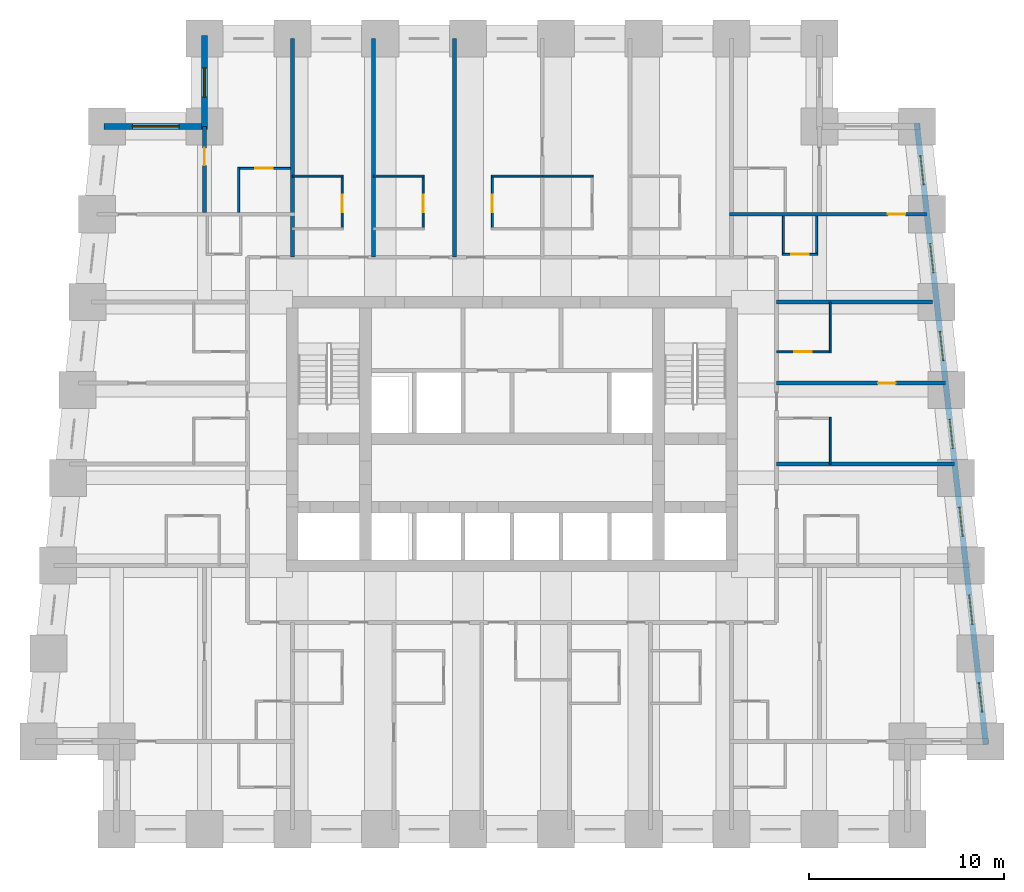
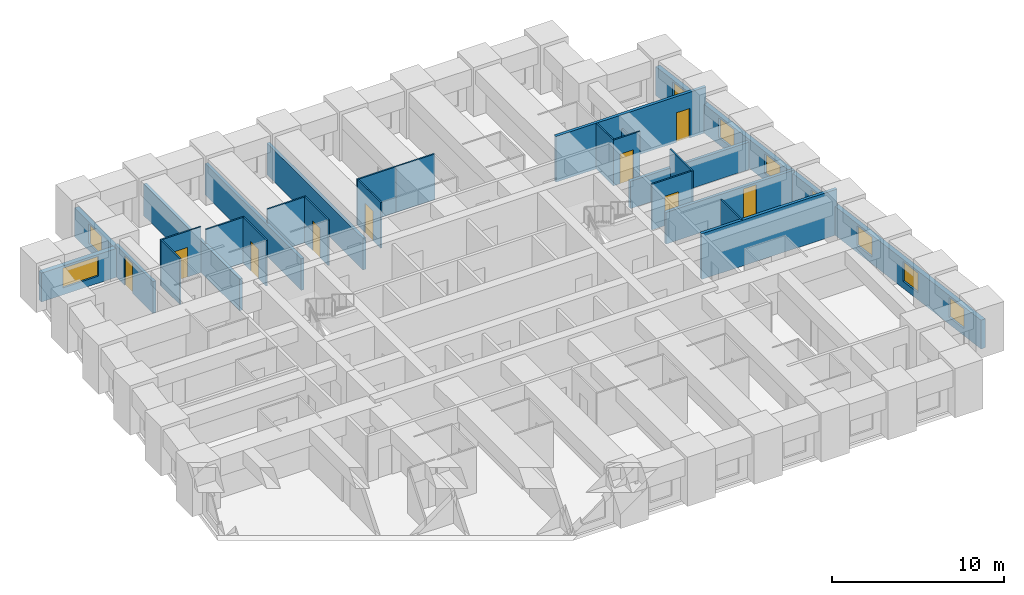
# One storey, part 6 of 8: 26 walls, 9 doors, 9 windows, 18 openings.
"""IFC4 building model written with IfcOpenShell, lengths in metres."""

from ifc_helpers import new_model, si_unit, direction, frame, frame_2d, origin, place, context, subcontext, project, spatial, rectangle, extrude, material, layer, layer_set, type_object, element, fill, save


model = new_model("IFC4")

# Units and contexts
model_context = context("Model", 3, precision=1e-05, world=origin(), true_north=direction((0.0, 1.0)))
body_context = subcontext(model_context, "Body", "Model", "MODEL_VIEW")
ifc_project = project(units=[si_unit("LENGTHUNIT", "METRE"), si_unit("AREAUNIT", "SQUARE_METRE"), si_unit("VOLUMEUNIT", "CUBIC_METRE"), si_unit("PLANEANGLEUNIT", "RADIAN"), si_unit("MASSUNIT", "GRAM", prefix="KILO")], contexts=[model_context])

# Site, building, storey
site_placement = place(None, origin())
site = spatial("IfcSite", under=ifc_project, at=site_placement, CompositionType="ELEMENT")
building_placement = place(site_placement, origin())
building = spatial("IfcBuilding", under=site, at=building_placement, Name="Kilele Tower Hotel", CompositionType="ELEMENT")
storey_placement = place(building_placement, frame((0.0, 0.0, 43.699951171875)))
storey = spatial("IfcBuildingStorey", under=building, at=storey_placement, Name="L09", CompositionType="ELEMENT", Elevation=43.699951171875)

# Walls
ifc_material_1 = material(Name="Moisture-resistant board")
ifc_layer_1 = layer(ifc_material_1, 0.10009765625)
ifc_layer_set_1 = layer_set([ifc_layer_1], Name="Moisture-resistant board")
wall_type_1 = type_object("IfcWallType", Name="Bathroom partition 100", PredefinedType="PLUMBINGWALL", material=ifc_layer_set_1)
wall_1_placement = place(storey_placement, frame((41.050048828125, 18.699951171875, 0.0), z_axis=(0.0, 0.0, 1.0), x_axis=(0.0, 1.0, 0.0)))
element("IfcWall", 1, at=wall_1_placement, inside=storey, type_object=wall_type_1, Name="Bathroom partition 100 L09", PredefinedType="PLUMBINGWALL", context=body_context, shape_type="SweptSolid", body=[
    extrude(rectangle(XDim=2.400146484375, YDim=0.10009765625, at=frame_2d((1.2001953125, 0.0))), origin(), (0.0, 0.0, 1.0), 3.25),
])
wall_2_placement = place(storey_placement, frame((41.050048828125, 24.39990234375, 0.0), z_axis=(0.0, 0.0, 1.0), x_axis=(0.0, 1.0, 0.0)))
element("IfcWall", 2, at=wall_2_placement, inside=storey, type_object=wall_type_1, Name="Bathroom partition 100 L09", PredefinedType="PLUMBINGWALL", context=body_context, shape_type="SweptSolid", body=[
    extrude(rectangle(XDim=2.60009765625, YDim=0.10009765625, at=frame_2d((1.300048828125, 0.0))), origin(), (0.0, 0.0, 1.0), 3.25),
])

# Wall, opening, door
wall_3_placement = place(storey_placement, frame((38.300048828125, 24.449951171875, 0.0), z_axis=(0.0, 0.0, 1.0), x_axis=(1.0, 0.0, 0.0)))
wall_3 = element("IfcWall", 3, at=wall_3_placement, inside=storey, type_object=wall_type_1, Name="Bathroom partition 100 L09", PredefinedType="PLUMBINGWALL", context=body_context, shape_type="SweptSolid", body=[
    extrude(rectangle(XDim=2.800048828125, YDim=0.10009765625, at=frame_2d((1.39990234375, 0.0))), origin(), (0.0, 0.0, 1.0), 3.25),
])
opening_1_placement = place(wall_3_placement, frame((1.7998046875, 0.0, 0.0), z_axis=(0.0, 0.0, 1.0), x_axis=(-1.0, 0.0, 0.0)))
opening_1 = element("IfcOpeningElement", 4, at=opening_1_placement, cuts=wall_3, Name="Opening D2A", PredefinedType="OPENING", context=body_context, shape_type="SweptSolid", body=[
    extrude(rectangle(XDim=0.89990234375, YDim=2.10009765625, at=frame_2d((0.449951171875, 1.050048828125))), frame((0.0, 0.06005859375, 0.0), z_axis=(0.0, -1.0, 0.0), x_axis=(1.0, 0.0, 0.0)), (0.0, 0.0, 1.0), 0.1201171875),
])
ifc_material_2 = material(Name="Timber door leaf in hardwood frame", Category="wood")
door_type_1 = type_object("IfcDoorType", Name="Bathroom door 900", OperationType="SINGLE_SWING_LEFT", PredefinedType="DOOR", material=ifc_material_2)
door_1_placement = place(opening_1_placement, origin())
door_1 = element("IfcDoor", 5, at=door_1_placement, inside=storey, type_object=door_type_1, Name="Bathroom door 0908B", OperationType="SINGLE_SWING_RIGHT", OverallHeight=2.10009765625, OverallWidth=0.89990234375, PredefinedType="DOOR", context=body_context, shape_type="SweptSolid", body=[
    extrude(rectangle(XDim=0.89990234375, YDim=2.10009765625, at=frame_2d((0.449951171875, 1.050048828125))), frame((0.0, 0.02490234375, 0.0), z_axis=(0.0, -1.0, 0.0), x_axis=(1.0, 0.0, 0.0)), (0.0, 0.0, 1.0), 0.050048828125),
])
fill(opening_1, door_1)

# Wall
wall_4_placement = place(storey_placement, frame((13.5, 33.449951171875, 0.0), z_axis=(0.0, 0.0, 1.0), x_axis=(1.0, 0.0, 0.0)))
element("IfcWall", 6, at=wall_4_placement, inside=storey, type_object=wall_type_1, Name="Bathroom partition 100 L09", PredefinedType="PLUMBINGWALL", context=body_context, shape_type="SweptSolid", body=[
    extrude(rectangle(XDim=2.60009765625, YDim=0.10009765625, at=frame_2d((1.300048828125, 0.0))), origin(), (0.0, 0.0, 1.0), 3.25),
])

# Wall, opening, door
wall_5_placement = place(storey_placement, frame((16.050048828125, 30.699951171875, 0.0), z_axis=(0.0, 0.0, 1.0), x_axis=(0.0, 1.0, 0.0)))
wall_5 = element("IfcWall", 7, at=wall_5_placement, inside=storey, type_object=wall_type_1, Name="Bathroom partition 100 L09", PredefinedType="PLUMBINGWALL", context=body_context, shape_type="SweptSolid", body=[
    extrude(rectangle(XDim=2.800048828125, YDim=0.10009765625, at=frame_2d((1.39990234375, 0.0))), origin(), (0.0, 0.0, 1.0), 3.25),
])
opening_2_placement = place(wall_5_placement, frame((1.7998046875, 0.0, 0.0), z_axis=(0.0, 0.0, 1.0), x_axis=(-1.0, 0.0, 0.0)))
opening_2 = element("IfcOpeningElement", 8, at=opening_2_placement, cuts=wall_5, Name="Opening D2A", PredefinedType="OPENING", context=body_context, shape_type="SweptSolid", body=[
    extrude(rectangle(XDim=0.89990234375, YDim=2.10009765625, at=frame_2d((0.449951171875, 1.050048828125))), frame((0.0, 0.06005859375, 0.0), z_axis=(0.0, -1.0, 0.0), x_axis=(1.0, 0.0, 0.0)), (0.0, 0.0, 1.0), 0.1201171875),
])
door_2_placement = place(opening_2_placement, origin())
door_2 = element("IfcDoor", 9, at=door_2_placement, inside=storey, type_object=door_type_1, Name="Bathroom door 0909B", OperationType="SINGLE_SWING_RIGHT", OverallHeight=2.10009765625, OverallWidth=0.89990234375, PredefinedType="DOOR", context=body_context, shape_type="SweptSolid", body=[
    extrude(rectangle(XDim=0.89990234375, YDim=2.10009765625, at=frame_2d((0.449951171875, 1.050048828125))), frame((0.0, 0.02490234375, 0.0), z_axis=(0.0, -1.0, 0.0), x_axis=(1.0, 0.0, 0.0)), (0.0, 0.0, 1.0), 0.050048828125),
])
fill(opening_2, door_2)

# Wall
wall_6_placement = place(storey_placement, frame((17.64990234375, 33.449951171875, 0.0), z_axis=(0.0, 0.0, 1.0), x_axis=(1.0, 0.0, 0.0)))
element("IfcWall", 10, at=wall_6_placement, inside=storey, type_object=wall_type_1, Name="Bathroom partition 100 L09", PredefinedType="PLUMBINGWALL", context=body_context, shape_type="SweptSolid", body=[
    extrude(rectangle(XDim=2.60009765625, YDim=0.10009765625, at=frame_2d((1.300048828125, 0.0))), origin(), (0.0, 0.0, 1.0), 3.25),
])

# Wall, opening, door
wall_7_placement = place(storey_placement, frame((20.199951171875, 30.699951171875, 0.0), z_axis=(0.0, 0.0, 1.0), x_axis=(0.0, 1.0, 0.0)))
wall_7 = element("IfcWall", 11, at=wall_7_placement, inside=storey, type_object=wall_type_1, Name="Bathroom partition 100 L09", PredefinedType="PLUMBINGWALL", context=body_context, shape_type="SweptSolid", body=[
    extrude(rectangle(XDim=2.800048828125, YDim=0.10009765625, at=frame_2d((1.39990234375, 0.0))), origin(), (0.0, 0.0, 1.0), 3.25),
])
opening_3_placement = place(wall_7_placement, frame((1.7998046875, 0.0, 0.0), z_axis=(0.0, 0.0, 1.0), x_axis=(-1.0, 0.0, 0.0)))
opening_3 = element("IfcOpeningElement", 12, at=opening_3_placement, cuts=wall_7, Name="Opening D2A", PredefinedType="OPENING", context=body_context, shape_type="SweptSolid", body=[
    extrude(rectangle(XDim=0.89990234375, YDim=2.10009765625, at=frame_2d((0.449951171875, 1.050048828125))), frame((0.0, 0.06005859375, 0.0), z_axis=(0.0, -1.0, 0.0), x_axis=(1.0, 0.0, 0.0)), (0.0, 0.0, 1.0), 0.1201171875),
])
door_3_placement = place(opening_3_placement, origin())
door_3 = element("IfcDoor", 13, at=door_3_placement, inside=storey, type_object=door_type_1, Name="Bathroom door 0910B", OperationType="SINGLE_SWING_RIGHT", OverallHeight=2.10009765625, OverallWidth=0.89990234375, PredefinedType="DOOR", context=body_context, shape_type="SweptSolid", body=[
    extrude(rectangle(XDim=0.89990234375, YDim=2.10009765625, at=frame_2d((0.449951171875, 1.050048828125))), frame((0.0, 0.02490234375, 0.0), z_axis=(0.0, -1.0, 0.0), x_axis=(1.0, 0.0, 0.0)), (0.0, 0.0, 1.0), 0.050048828125),
])
fill(opening_3, door_3)

# Wall
wall_8_placement = place(storey_placement, frame((23.699951171875, 33.449951171875, 0.0), z_axis=(0.0, 0.0, 1.0), x_axis=(1.0, 0.0, 0.0)))
element("IfcWall", 14, at=wall_8_placement, inside=storey, type_object=wall_type_1, Name="Bathroom partition 100 L09", PredefinedType="PLUMBINGWALL", context=body_context, shape_type="SweptSolid", body=[
    extrude(rectangle(XDim=2.60009765625, YDim=0.10009765625, at=frame_2d((1.300048828125, 0.0))), origin(), (0.0, 0.0, 1.0), 3.25),
])

# Wall, opening, door
wall_9_placement = place(storey_placement, frame((23.75, 30.699951171875, 0.0), z_axis=(0.0, 0.0, 1.0), x_axis=(0.0, 1.0, 0.0)))
wall_9 = element("IfcWall", 15, at=wall_9_placement, inside=storey, type_object=wall_type_1, Name="Bathroom partition 100 L09", PredefinedType="PLUMBINGWALL", context=body_context, shape_type="SweptSolid", body=[
    extrude(rectangle(XDim=2.800048828125, YDim=0.10009765625, at=frame_2d((1.39990234375, 0.0))), origin(), (0.0, 0.0, 1.0), 3.25),
])
opening_4_placement = place(wall_9_placement, frame((0.89990234375, 0.0, 0.0)))
opening_4 = element("IfcOpeningElement", 16, at=opening_4_placement, cuts=wall_9, Name="Opening D2A", PredefinedType="OPENING", context=body_context, shape_type="SweptSolid", body=[
    extrude(rectangle(XDim=0.89990234375, YDim=2.10009765625, at=frame_2d((0.449951171875, 1.050048828125))), frame((0.0, 0.06005859375, 0.0), z_axis=(0.0, -1.0, 0.0), x_axis=(1.0, 0.0, 0.0)), (0.0, 0.0, 1.0), 0.1201171875),
])
door_4_placement = place(opening_4_placement, origin())
door_4 = element("IfcDoor", 17, at=door_4_placement, inside=storey, type_object=door_type_1, Name="Bathroom door 0911B", OperationType="SINGLE_SWING_LEFT", OverallHeight=2.10009765625, OverallWidth=0.89990234375, PredefinedType="DOOR", context=body_context, shape_type="SweptSolid", body=[
    extrude(rectangle(XDim=0.89990234375, YDim=2.10009765625, at=frame_2d((0.449951171875, 1.050048828125))), frame((0.0, 0.02490234375, 0.0), z_axis=(0.0, -1.0, 0.0), x_axis=(1.0, 0.0, 0.0)), (0.0, 0.0, 1.0), 0.050048828125),
])
fill(opening_4, door_4)

# Walls
wall_10_placement = place(storey_placement, frame((26.300048828125, 33.449951171875, 0.0), z_axis=(0.0, 0.0, 1.0), x_axis=(1.0, 0.0, 0.0)))
element("IfcWall", 18, at=wall_10_placement, inside=storey, type_object=wall_type_1, Name="Bathroom partition 100 L09", PredefinedType="PLUMBINGWALL", context=body_context, shape_type="SweptSolid", body=[
    extrude(rectangle(XDim=2.599853515625, YDim=0.10009765625, at=frame_2d((1.2998046875, 0.0))), origin(), (0.0, 0.0, 1.0), 3.25),
])
wall_11_placement = place(storey_placement, frame((40.35009765625, 31.39990234375, 0.0), z_axis=(0.0, 0.0, 1.0), x_axis=(0.0, -1.0, 0.0)))
element("IfcWall", 19, at=wall_11_placement, inside=storey, type_object=wall_type_1, Name="Bathroom partition 100 L09", PredefinedType="PLUMBINGWALL", context=body_context, shape_type="SweptSolid", body=[
    extrude(rectangle(XDim=2.0, YDim=0.10009765625, at=frame_2d((1.0, 0.0))), origin(), (0.0, 0.0, 1.0), 2.25),
])
wall_12_placement = place(storey_placement, frame((38.64990234375, 31.39990234375, 0.0), z_axis=(0.0, 0.0, 1.0), x_axis=(0.0, -1.0, 0.0)))
element("IfcWall", 20, at=wall_12_placement, inside=storey, type_object=wall_type_1, Name="Bathroom partition 100 L09", PredefinedType="PLUMBINGWALL", context=body_context, shape_type="SweptSolid", body=[
    extrude(rectangle(XDim=2.0, YDim=0.10009765625, at=frame_2d((1.0, 0.0))), origin(), (0.0, 0.0, 1.0), 3.25),
])

# Wall, opening, door
wall_13_placement = place(storey_placement, frame((38.60009765625, 29.449951171875, 0.0), z_axis=(0.0, 0.0, 1.0), x_axis=(1.0, 0.0, 0.0)))
wall_13 = element("IfcWall", 21, at=wall_13_placement, inside=storey, type_object=wall_type_1, Name="Bathroom partition 100 L09", PredefinedType="PLUMBINGWALL", context=body_context, shape_type="SweptSolid", body=[
    extrude(rectangle(XDim=1.7998046875, YDim=0.10009765625, at=frame_2d((0.89990234375, 0.0))), origin(), (0.0, 0.0, 1.0), 3.25),
])
opening_5_placement = place(wall_13_placement, frame((1.349853515625, 0.0, 0.0), z_axis=(0.0, 0.0, 1.0), x_axis=(-1.0, 0.0, 0.0)))
opening_5 = element("IfcOpeningElement", 22, at=opening_5_placement, cuts=wall_13, Name="Opening D2A", PredefinedType="OPENING", context=body_context, shape_type="SweptSolid", body=[
    extrude(rectangle(XDim=0.89990234375, YDim=2.10009765625, at=frame_2d((0.449951171875, 1.050048828125))), frame((0.0, 0.06005859375, 0.0), z_axis=(0.0, -1.0, 0.0), x_axis=(1.0, 0.0, 0.0)), (0.0, 0.0, 1.0), 0.1201171875),
])
door_5_placement = place(opening_5_placement, origin())
door_5 = element("IfcDoor", 23, at=door_5_placement, inside=storey, type_object=door_type_1, Name="Bathroom door 0923P", OperationType="SINGLE_SWING_RIGHT", OverallHeight=2.10009765625, OverallWidth=0.89990234375, PredefinedType="DOOR", context=body_context, shape_type="SweptSolid", body=[
    extrude(rectangle(XDim=0.89990234375, YDim=2.10009765625, at=frame_2d((0.449951171875, 1.050048828125))), frame((0.0, 0.02490234375, 0.0), z_axis=(0.0, -1.0, 0.0), x_axis=(1.0, 0.0, 0.0)), (0.0, 0.0, 1.0), 0.050048828125),
])
fill(opening_5, door_5)

# Wall
wall_14_placement = place(storey_placement, frame((10.75, 31.60009765625, 0.0), z_axis=(0.0, 0.0, 1.0), x_axis=(0.0, 1.0, 0.0)))
element("IfcWall", 24, at=wall_14_placement, inside=storey, type_object=wall_type_1, Name="Bathroom partition 100 L09", PredefinedType="PLUMBINGWALL", context=body_context, shape_type="SweptSolid", body=[
    extrude(rectangle(XDim=2.2998046875, YDim=0.10009765625, at=frame_2d((1.14990234375, 0.0))), origin(), (0.0, 0.0, 1.0), 3.25),
])

# Wall, opening, door
wall_15_placement = place(storey_placement, frame((13.39990234375, 33.85009765625, 0.0), z_axis=(0.0, 0.0, 1.0), x_axis=(-1.0, 0.0, 0.0)))
wall_15 = element("IfcWall", 25, at=wall_15_placement, inside=storey, type_object=wall_type_1, Name="Bathroom partition 100 L09", PredefinedType="PLUMBINGWALL", context=body_context, shape_type="SweptSolid", body=[
    extrude(rectangle(XDim=2.699951171875, YDim=0.10009765625, at=frame_2d((1.35009765625, 0.0))), origin(), (0.0, 0.0, 1.0), 3.25),
])
opening_6_placement = place(wall_15_placement, frame((1.7998046875, 0.0, 0.0), z_axis=(0.0, 0.0, 1.0), x_axis=(-1.0, 0.0, 0.0)))
opening_6 = element("IfcOpeningElement", 26, at=opening_6_placement, cuts=wall_15, Name="Opening D2A", PredefinedType="OPENING", context=body_context, shape_type="SweptSolid", body=[
    extrude(rectangle(XDim=0.89990234375, YDim=2.10009765625, at=frame_2d((0.449951171875, 1.050048828125))), frame((0.0, 0.06005859375, 0.0), z_axis=(0.0, -1.0, 0.0), x_axis=(1.0, 0.0, 0.0)), (0.0, 0.0, 1.0), 0.1201171875),
])
door_6_placement = place(opening_6_placement, origin())
door_6 = element("IfcDoor", 27, at=door_6_placement, inside=storey, type_object=door_type_1, Name="Bathroom door 0927B", OperationType="SINGLE_SWING_RIGHT", OverallHeight=2.10009765625, OverallWidth=0.89990234375, PredefinedType="DOOR", context=body_context, shape_type="SweptSolid", body=[
    extrude(rectangle(XDim=0.89990234375, YDim=2.10009765625, at=frame_2d((0.449951171875, 1.050048828125))), frame((0.0, 0.02490234375, 0.0), z_axis=(0.0, -1.0, 0.0), x_axis=(1.0, 0.0, 0.0)), (0.0, 0.0, 1.0), 0.050048828125),
])
fill(opening_6, door_6)

ifc_material_3 = material(Name="Blockwork, plastered both sides", Category="masonry")
ifc_layer_2 = layer(ifc_material_3, 0.199951171875)
ifc_layer_set_2 = layer_set([ifc_layer_2], Name="Blockwork, plastered both sides")
wall_type_2 = type_object("IfcWallType", Name="Partition wall 200", PredefinedType="PARTITIONING", material=ifc_layer_set_2)
wall_16_placement = place(storey_placement, frame((9.0, 31.60009765625, 0.0), z_axis=(0.0, 0.0, 1.0), x_axis=(0.0, 1.0, 0.0)))
wall_16 = element("IfcWall", 28, at=wall_16_placement, inside=storey, type_object=wall_type_2, Name="Partition wall 200 L09", PredefinedType="PARTITIONING", context=body_context, shape_type="SweptSolid", body=[
    extrude(rectangle(XDim=4.39990234375, YDim=0.199951171875, at=frame_2d((2.199951171875, 0.0))), origin(), (0.0, 0.0, 1.0), 2.25),
])
opening_7_placement = place(wall_16_placement, frame((2.39990234375, 0.0, 0.0)))
opening_7 = element("IfcOpeningElement", 29, at=opening_7_placement, cuts=wall_16, Name="Opening D3", PredefinedType="OPENING", context=body_context, shape_type="SweptSolid", body=[
    extrude(rectangle(XDim=0.89990234375, YDim=2.10009765625, at=frame_2d((0.449951171875, 1.050048828125))), frame((0.0, 0.10986328125, 0.0), z_axis=(0.0, -1.0, 0.0), x_axis=(1.0, 0.0, 0.0)), (0.0, 0.0, 1.0), 0.219970703125),
])
ifc_material_4 = material(Name="Timber door leaf in hardwood frame", Category="wood")
door_type_2 = type_object("IfcDoorType", Name="Suite internal door 900", OperationType="SINGLE_SWING_LEFT", PredefinedType="DOOR", material=ifc_material_4)
door_7_placement = place(opening_7_placement, origin())
door_7 = element("IfcDoor", 30, at=door_7_placement, inside=storey, type_object=door_type_2, Name="Suite door 0928", OperationType="SINGLE_SWING_RIGHT", OverallHeight=2.10009765625, OverallWidth=0.89990234375, PredefinedType="DOOR", context=body_context, shape_type="SweptSolid", body=[
    extrude(rectangle(XDim=0.89990234375, YDim=2.10009765625, at=frame_2d((0.449951171875, 1.050048828125))), frame((0.0, 0.02490234375, 0.0), z_axis=(0.0, -1.0, 0.0), x_axis=(1.0, 0.0, 0.0)), (0.0, 0.0, 1.0), 0.050048828125),
])
fill(opening_7, door_7)

# Wall
ifc_material_5 = material(Name="Blockwork, plastered both sides", Category="masonry")
ifc_layer_3 = layer(ifc_material_5, 0.199951171875)
ifc_layer_set_3 = layer_set([ifc_layer_3], Name="Blockwork, plastered both sides")
wall_type_3 = type_object("IfcWallType", Name="Party wall 200", PredefinedType="PARTITIONING", material=ifc_layer_set_3)
wall_17_placement = place(storey_placement, frame((38.300048828125, 18.699951171875, 0.0), z_axis=(0.0, 0.0, 1.0), x_axis=(1.0, 0.0, 0.0)))
element("IfcWall", 31, at=wall_17_placement, inside=storey, type_object=wall_type_3, Name="Party wall 200 L09", PredefinedType="PARTITIONING", context=body_context, shape_type="SweptSolid", body=[
    extrude(rectangle(XDim=9.121337890625, YDim=0.199951171875, at=frame_2d((4.560546875, 0.0))), origin(), (0.0, 0.0, 1.0), 3.25),
])

# Wall, opening, door
wall_18_placement = place(storey_placement, frame((38.300048828125, 22.85009765625, 0.0), z_axis=(0.0, 0.0, 1.0), x_axis=(1.0, 0.0, 0.0)))
wall_18 = element("IfcWall", 32, at=wall_18_placement, inside=storey, type_object=wall_type_3, Name="Party wall 200 L09", PredefinedType="PARTITIONING", context=body_context, shape_type="SweptSolid", body=[
    extrude(rectangle(XDim=8.66015625, YDim=0.199951171875, at=frame_2d((4.330078125, 0.0))), origin(), (0.0, 0.0, 1.0), 2.25),
])
opening_8_placement = place(wall_18_placement, frame((5.199951171875, 0.0, 0.0)))
opening_8 = element("IfcOpeningElement", 33, at=opening_8_placement, cuts=wall_18, Name="Opening D3", PredefinedType="OPENING", context=body_context, shape_type="SweptSolid", body=[
    extrude(rectangle(XDim=0.89990234375, YDim=2.10009765625, at=frame_2d((0.449951171875, 1.050048828125))), frame((0.0, 0.10986328125, 0.0), z_axis=(0.0, -1.0, 0.0), x_axis=(1.0, 0.0, 0.0)), (0.0, 0.0, 1.0), 0.219970703125),
])
door_8_placement = place(opening_8_placement, origin())
door_8 = element("IfcDoor", 34, at=door_8_placement, inside=storey, type_object=door_type_2, Name="Suite door 0908", OperationType="SINGLE_SWING_RIGHT", OverallHeight=2.10009765625, OverallWidth=0.89990234375, PredefinedType="DOOR", context=body_context, shape_type="SweptSolid", body=[
    extrude(rectangle(XDim=0.89990234375, YDim=2.10009765625, at=frame_2d((0.449951171875, 1.050048828125))), frame((0.0, 0.02490234375, 0.0), z_axis=(0.0, -1.0, 0.0), x_axis=(1.0, 0.0, 0.0)), (0.0, 0.0, 1.0), 0.050048828125),
])
fill(opening_8, door_8)

# Walls
for number, where, z_axis, x_axis, name in (
    (35, (17.64990234375, 29.300048828125, 0.0), (0.0, 0.0, 1.0), (0.0, 1.0, 0.0), "Party wall 200 L09"),
    (36, (21.800048828125, 29.300048828125, 0.0), (0.0, 0.0, 1.0), (0.0, 1.0, 0.0), "Party wall 200 L09"),
):
    element("IfcWall", number, at=place(storey_placement, frame(where, z_axis=z_axis, x_axis=x_axis)), inside=storey, type_object=wall_type_3, Name=name, PredefinedType="PARTITIONING", context=body_context, shape_type="SweptSolid", body=[
        extrude(rectangle(XDim=11.199951171875, YDim=0.199951171875, at=frame_2d((5.60009765625, 0.0))), origin(), (0.0, 0.0, 1.0), 2.25),
    ])
wall_19_placement = place(storey_placement, frame((38.300048828125, 27.0, 0.0), z_axis=(0.0, 0.0, 1.0), x_axis=(1.0, 0.0, 0.0)))
element("IfcWall", 37, at=wall_19_placement, inside=storey, type_object=wall_type_3, Name="Party wall 200 L09", PredefinedType="PARTITIONING", context=body_context, shape_type="SweptSolid", body=[
    extrude(rectangle(XDim=7.976806640625, YDim=0.199951171875, at=frame_2d((3.98828125, 0.0))), origin(), (0.0, 0.0, 1.0), 1.949951171875),
])

# Wall, opening, door
wall_20_placement = place(storey_placement, frame((35.89990234375, 31.5, 0.0), z_axis=(0.0, 0.0, 1.0), x_axis=(1.0, 0.0, 0.0)))
wall_20 = element("IfcWall", 38, at=wall_20_placement, inside=storey, type_object=wall_type_3, Name="Party wall 200 L09", PredefinedType="PARTITIONING", context=body_context, shape_type="SweptSolid", body=[
    extrude(rectangle(XDim=10.09912109375, YDim=0.199951171875, at=frame_2d((5.049560546875, 0.0))), origin(), (0.0, 0.0, 1.0), 3.25),
])
opening_9_placement = place(wall_20_placement, frame((8.09912109375, 0.0, 0.0)))
opening_9 = element("IfcOpeningElement", 39, at=opening_9_placement, cuts=wall_20, Name="Opening D3", PredefinedType="OPENING", context=body_context, shape_type="SweptSolid", body=[
    extrude(rectangle(XDim=0.89990234375, YDim=2.10009765625, at=frame_2d((0.449951171875, 1.050048828125))), frame((0.0, 0.10986328125, 0.0), z_axis=(0.0, -1.0, 0.0), x_axis=(1.0, 0.0, 0.0)), (0.0, 0.0, 1.0), 0.219970703125),
])
door_9_placement = place(opening_9_placement, origin())
door_9 = element("IfcDoor", 40, at=door_9_placement, inside=storey, type_object=door_type_2, Name="Suite door 0924", OperationType="SINGLE_SWING_RIGHT", OverallHeight=2.10009765625, OverallWidth=0.89990234375, PredefinedType="DOOR", context=body_context, shape_type="SweptSolid", body=[
    extrude(rectangle(XDim=0.89990234375, YDim=2.10009765625, at=frame_2d((0.449951171875, 1.050048828125))), frame((0.0, 0.02490234375, 0.0), z_axis=(0.0, -1.0, 0.0), x_axis=(1.0, 0.0, 0.0)), (0.0, 0.0, 1.0), 0.050048828125),
])
fill(opening_9, door_9)

# Wall
wall_21_placement = place(storey_placement, frame((13.5, 29.300048828125, 0.0), z_axis=(0.0, 0.0, 1.0), x_axis=(0.0, 1.0, 0.0)))
element("IfcWall", 41, at=wall_21_placement, inside=storey, type_object=wall_type_3, Name="Party wall 200 L09", PredefinedType="PARTITIONING", context=body_context, shape_type="SweptSolid", body=[
    extrude(rectangle(XDim=11.199951171875, YDim=0.199951171875, at=frame_2d((5.60009765625, 0.0))), origin(), (0.0, 0.0, 1.0), 2.25),
])

# Wall, openings, windows
ifc_material_6 = material(Name="Concrete C40/50 precast", Category="concrete")
ifc_layer_4 = layer(ifc_material_6, 0.260009765625, Name="Precast backing", Category="LoadBearing")
ifc_material_7 = material(Name="Reconstituted stone finish", Category="masonry")
ifc_layer_5 = layer(ifc_material_7, 0.0400390625, Name="Face mix", Category="Finish")
ifc_layer_set_4 = layer_set([ifc_layer_4, ifc_layer_5], Name="Precast concrete C40/50, reconstituted stone finish")
wall_type_4 = type_object("IfcWallType", Name="Precast stone facade wall 300", PredefinedType="STANDARD", material=ifc_layer_set_4)
wall_22_placement = place(storey_placement, frame((49.0166015625, 4.350830078125, 0.0), z_axis=(0.0, 0.0, 1.0), x_axis=(-0.110433201132, 0.993883548555, 0.0)))
wall_22 = element("IfcWall", 42, at=wall_22_placement, inside=storey, type_object=wall_type_4, Name="Facade wall L09 edge 6", PredefinedType="STANDARD", context=body_context, shape_type="SweptSolid", body=[
    extrude(rectangle(XDim=31.994140625, YDim=0.300048828125, at=frame_2d((15.9970703125, 0.0))), origin(), (0.0, 0.0, 1.0), 2.050048828125),
])
opening_10_placement = place(wall_22_placement, frame((1.6640625, 0.0, 0.5)))
opening_10 = element("IfcOpeningElement", 43, at=opening_10_placement, cuts=wall_22, Name="Opening W1", PredefinedType="OPENING", context=body_context, shape_type="SweptSolid", body=[
    extrude(rectangle(XDim=1.5, YDim=1.39990234375, at=frame_2d((0.75, 0.699951171875))), frame((0.0, 0.159912109375, 0.0), z_axis=(0.0, -1.0, 0.0), x_axis=(1.0, 0.0, 0.0)), (0.0, 0.0, 1.0), 0.320068359375),
])
opening_11_placement = place(wall_22_placement, frame((6.19189453125, 0.0, 0.5)))
opening_11 = element("IfcOpeningElement", 44, at=opening_11_placement, cuts=wall_22, Name="Opening W1", PredefinedType="OPENING", context=body_context, shape_type="SweptSolid", body=[
    extrude(rectangle(XDim=1.5, YDim=1.39990234375, at=frame_2d((0.75, 0.699951171875))), frame((0.0, 0.159912109375, 0.0), z_axis=(0.0, -1.0, 0.0), x_axis=(1.0, 0.0, 0.0)), (0.0, 0.0, 1.0), 0.320068359375),
])
opening_12_placement = place(wall_22_placement, frame((10.718994140625, 0.0, 0.5)))
opening_12 = element("IfcOpeningElement", 45, at=opening_12_placement, cuts=wall_22, Name="Opening W1", PredefinedType="OPENING", context=body_context, shape_type="SweptSolid", body=[
    extrude(rectangle(XDim=1.5, YDim=1.39990234375, at=frame_2d((0.75, 0.699951171875))), frame((0.0, 0.159912109375, 0.0), z_axis=(0.0, -1.0, 0.0), x_axis=(1.0, 0.0, 0.0)), (0.0, 0.0, 1.0), 0.320068359375),
])
opening_13_placement = place(wall_22_placement, frame((15.2470703125, 0.0, 0.5)))
opening_13 = element("IfcOpeningElement", 46, at=opening_13_placement, cuts=wall_22, Name="Opening W1", PredefinedType="OPENING", context=body_context, shape_type="SweptSolid", body=[
    extrude(rectangle(XDim=1.5, YDim=1.39990234375, at=frame_2d((0.75, 0.699951171875))), frame((0.0, 0.159912109375, 0.0), z_axis=(0.0, -1.0, 0.0), x_axis=(1.0, 0.0, 0.0)), (0.0, 0.0, 1.0), 0.320068359375),
])
opening_14_placement = place(wall_22_placement, frame((19.77490234375, 0.0, 0.5)))
opening_14 = element("IfcOpeningElement", 47, at=opening_14_placement, cuts=wall_22, Name="Opening W1", PredefinedType="OPENING", context=body_context, shape_type="SweptSolid", body=[
    extrude(rectangle(XDim=1.5, YDim=1.39990234375, at=frame_2d((0.75, 0.699951171875))), frame((0.0, 0.159912109375, 0.0), z_axis=(0.0, -1.0, 0.0), x_axis=(1.0, 0.0, 0.0)), (0.0, 0.0, 1.0), 0.320068359375),
])
opening_15_placement = place(wall_22_placement, frame((24.302001953125, 0.0, 0.5)))
opening_15 = element("IfcOpeningElement", 48, at=opening_15_placement, cuts=wall_22, Name="Opening W1", PredefinedType="OPENING", context=body_context, shape_type="SweptSolid", body=[
    extrude(rectangle(XDim=1.5, YDim=1.39990234375, at=frame_2d((0.75, 0.699951171875))), frame((0.0, 0.159912109375, 0.0), z_axis=(0.0, -1.0, 0.0), x_axis=(1.0, 0.0, 0.0)), (0.0, 0.0, 1.0), 0.320068359375),
])
opening_16_placement = place(wall_22_placement, frame((28.830078125, 0.0, 0.5)))
opening_16 = element("IfcOpeningElement", 49, at=opening_16_placement, cuts=wall_22, Name="Opening W1", PredefinedType="OPENING", context=body_context, shape_type="SweptSolid", body=[
    extrude(rectangle(XDim=1.5, YDim=1.39990234375, at=frame_2d((0.75, 0.699951171875))), frame((0.0, 0.159912109375, 0.0), z_axis=(0.0, -1.0, 0.0), x_axis=(1.0, 0.0, 0.0)), (0.0, 0.0, 1.0), 0.320068359375),
])
ifc_material_8 = material(Name="Aluminium frame, clear double glazing", Category="aluminium")
window_type_1 = type_object("IfcWindowType", Name="Window W1 1500 x 1400", PartitioningType="SINGLE_PANEL", PredefinedType="WINDOW", material=ifc_material_8)
window_1_placement = place(opening_10_placement, origin())
window_1 = element("IfcWindow", 50, at=window_1_placement, inside=storey, type_object=window_type_1, Name="Window L09", OverallHeight=1.39990234375, OverallWidth=1.5, PartitioningType="SINGLE_PANEL", PredefinedType="WINDOW", context=body_context, shape_type="SweptSolid", body=[
    extrude(rectangle(XDim=1.5, YDim=1.39990234375, at=frame_2d((0.75, 0.699951171875))), frame((0.0, 0.030029296875, 0.0), z_axis=(0.0, -1.0, 0.0), x_axis=(1.0, 0.0, 0.0)), (0.0, 0.0, 1.0), 0.06005859375),
])
fill(opening_10, window_1)
window_2_placement = place(opening_11_placement, origin())
window_2 = element("IfcWindow", 51, at=window_2_placement, inside=storey, type_object=window_type_1, Name="Window L09", OverallHeight=1.39990234375, OverallWidth=1.5, PartitioningType="SINGLE_PANEL", PredefinedType="WINDOW", context=body_context, shape_type="SweptSolid", body=[
    extrude(rectangle(XDim=1.5, YDim=1.39990234375, at=frame_2d((0.75, 0.699951171875))), frame((0.0, 0.030029296875, 0.0), z_axis=(0.0, -1.0, 0.0), x_axis=(1.0, 0.0, 0.0)), (0.0, 0.0, 1.0), 0.06005859375),
])
fill(opening_11, window_2)
window_3_placement = place(opening_12_placement, origin())
window_3 = element("IfcWindow", 52, at=window_3_placement, inside=storey, type_object=window_type_1, Name="Window L09", OverallHeight=1.39990234375, OverallWidth=1.5, PartitioningType="SINGLE_PANEL", PredefinedType="WINDOW", context=body_context, shape_type="SweptSolid", body=[
    extrude(rectangle(XDim=1.5, YDim=1.39990234375, at=frame_2d((0.75, 0.699951171875))), frame((0.0, 0.030029296875, 0.0), z_axis=(0.0, -1.0, 0.0), x_axis=(1.0, 0.0, 0.0)), (0.0, 0.0, 1.0), 0.06005859375),
])
fill(opening_12, window_3)
window_4_placement = place(opening_13_placement, origin())
window_4 = element("IfcWindow", 53, at=window_4_placement, inside=storey, type_object=window_type_1, Name="Window L09", OverallHeight=1.39990234375, OverallWidth=1.5, PartitioningType="SINGLE_PANEL", PredefinedType="WINDOW", context=body_context, shape_type="SweptSolid", body=[
    extrude(rectangle(XDim=1.5, YDim=1.39990234375, at=frame_2d((0.75, 0.699951171875))), frame((0.0, 0.030029296875, 0.0), z_axis=(0.0, -1.0, 0.0), x_axis=(1.0, 0.0, 0.0)), (0.0, 0.0, 1.0), 0.06005859375),
])
fill(opening_13, window_4)
window_5_placement = place(opening_14_placement, origin())
window_5 = element("IfcWindow", 54, at=window_5_placement, inside=storey, type_object=window_type_1, Name="Window L09", OverallHeight=1.39990234375, OverallWidth=1.5, PartitioningType="SINGLE_PANEL", PredefinedType="WINDOW", context=body_context, shape_type="SweptSolid", body=[
    extrude(rectangle(XDim=1.5, YDim=1.39990234375, at=frame_2d((0.75, 0.699951171875))), frame((0.0, 0.030029296875, 0.0), z_axis=(0.0, -1.0, 0.0), x_axis=(1.0, 0.0, 0.0)), (0.0, 0.0, 1.0), 0.06005859375),
])
fill(opening_14, window_5)
window_6_placement = place(opening_15_placement, origin())
window_6 = element("IfcWindow", 55, at=window_6_placement, inside=storey, type_object=window_type_1, Name="Window L09", OverallHeight=1.39990234375, OverallWidth=1.5, PartitioningType="SINGLE_PANEL", PredefinedType="WINDOW", context=body_context, shape_type="SweptSolid", body=[
    extrude(rectangle(XDim=1.5, YDim=1.39990234375, at=frame_2d((0.75, 0.699951171875))), frame((0.0, 0.030029296875, 0.0), z_axis=(0.0, -1.0, 0.0), x_axis=(1.0, 0.0, 0.0)), (0.0, 0.0, 1.0), 0.06005859375),
])
fill(opening_15, window_6)
window_7_placement = place(opening_16_placement, origin())
window_7 = element("IfcWindow", 56, at=window_7_placement, inside=storey, type_object=window_type_1, Name="Window L09", OverallHeight=1.39990234375, OverallWidth=1.5, PartitioningType="SINGLE_PANEL", PredefinedType="WINDOW", context=body_context, shape_type="SweptSolid", body=[
    extrude(rectangle(XDim=1.5, YDim=1.39990234375, at=frame_2d((0.75, 0.699951171875))), frame((0.0, 0.030029296875, 0.0), z_axis=(0.0, -1.0, 0.0), x_axis=(1.0, 0.0, 0.0)), (0.0, 0.0, 1.0), 0.06005859375),
])
fill(opening_16, window_7)

# Wall, opening, window
wall_23_placement = place(storey_placement, frame((9.0, 40.64990234375, 0.0), z_axis=(0.0, 0.0, 1.0), x_axis=(0.0, -1.0, 0.0)))
wall_23 = element("IfcWall", 57, at=wall_23_placement, inside=storey, type_object=wall_type_4, Name="Facade wall L09 edge 10", PredefinedType="STANDARD", context=body_context, shape_type="SweptSolid", body=[
    extrude(rectangle(XDim=4.7998046875, YDim=0.300048828125, at=frame_2d((2.39990234375, 0.0))), origin(), (0.0, 0.0, 1.0), 2.050048828125),
])
opening_17_placement = place(wall_23_placement, frame((1.64990234375, 0.0, 0.5)))
opening_17 = element("IfcOpeningElement", 58, at=opening_17_placement, cuts=wall_23, Name="Opening W1", PredefinedType="OPENING", context=body_context, shape_type="SweptSolid", body=[
    extrude(rectangle(XDim=1.5, YDim=1.39990234375, at=frame_2d((0.75, 0.699951171875))), frame((0.0, 0.159912109375, 0.0), z_axis=(0.0, -1.0, 0.0), x_axis=(1.0, 0.0, 0.0)), (0.0, 0.0, 1.0), 0.320068359375),
])
window_8_placement = place(opening_17_placement, origin())
window_8 = element("IfcWindow", 59, at=window_8_placement, inside=storey, type_object=window_type_1, Name="Window L09", OverallHeight=1.39990234375, OverallWidth=1.5, PartitioningType="SINGLE_PANEL", PredefinedType="WINDOW", context=body_context, shape_type="SweptSolid", body=[
    extrude(rectangle(XDim=1.5, YDim=1.39990234375, at=frame_2d((0.75, 0.699951171875))), frame((0.0, 0.030029296875, 0.0), z_axis=(0.0, -1.0, 0.0), x_axis=(1.0, 0.0, 0.0)), (0.0, 0.0, 1.0), 0.06005859375),
])
fill(opening_17, window_8)

wall_24_placement = place(storey_placement, frame((9.14990234375, 36.0, 0.0), z_axis=(0.0, 0.0, 1.0), x_axis=(-1.0, 0.0, 0.0)))
wall_24 = element("IfcWall", 60, at=wall_24_placement, inside=storey, type_object=wall_type_4, Name="Facade wall L09 edge 11", PredefinedType="STANDARD", context=body_context, shape_type="SweptSolid", body=[
    extrude(rectangle(XDim=5.2998046875, YDim=0.300048828125, at=frame_2d((2.64990234375, 0.0))), origin(), (0.0, 0.0, 1.0), 2.050048828125),
])
opening_18_placement = place(wall_24_placement, frame((1.449951171875, 0.0, 0.5)))
opening_18 = element("IfcOpeningElement", 61, at=opening_18_placement, cuts=wall_24, Name="Opening W1", PredefinedType="OPENING", context=body_context, shape_type="SweptSolid", body=[
    extrude(rectangle(XDim=2.39990234375, YDim=1.39990234375, at=frame_2d((1.199951171875, 0.699951171875))), frame((0.0, 0.159912109375, 0.0), z_axis=(0.0, -1.0, 0.0), x_axis=(1.0, 0.0, 0.0)), (0.0, 0.0, 1.0), 0.320068359375),
])
ifc_material_9 = material(Name="Aluminium frame, clear double glazing", Category="aluminium")
window_type_2 = type_object("IfcWindowType", Name="Window W1 2400 x 1400", PartitioningType="SINGLE_PANEL", PredefinedType="WINDOW", material=ifc_material_9)
window_9_placement = place(opening_18_placement, origin())
window_9 = element("IfcWindow", 62, at=window_9_placement, inside=storey, type_object=window_type_2, Name="Window L09", OverallHeight=1.39990234375, OverallWidth=2.39990234375, PartitioningType="SINGLE_PANEL", PredefinedType="WINDOW", context=body_context, shape_type="SweptSolid", body=[
    extrude(rectangle(XDim=2.39990234375, YDim=1.39990234375, at=frame_2d((1.199951171875, 0.699951171875))), frame((0.0, 0.030029296875, 0.0), z_axis=(0.0, -1.0, 0.0), x_axis=(1.0, 0.0, 0.0)), (0.0, 0.0, 1.0), 0.06005859375),
])
fill(opening_18, window_9)

save(model, "model.ifc")
